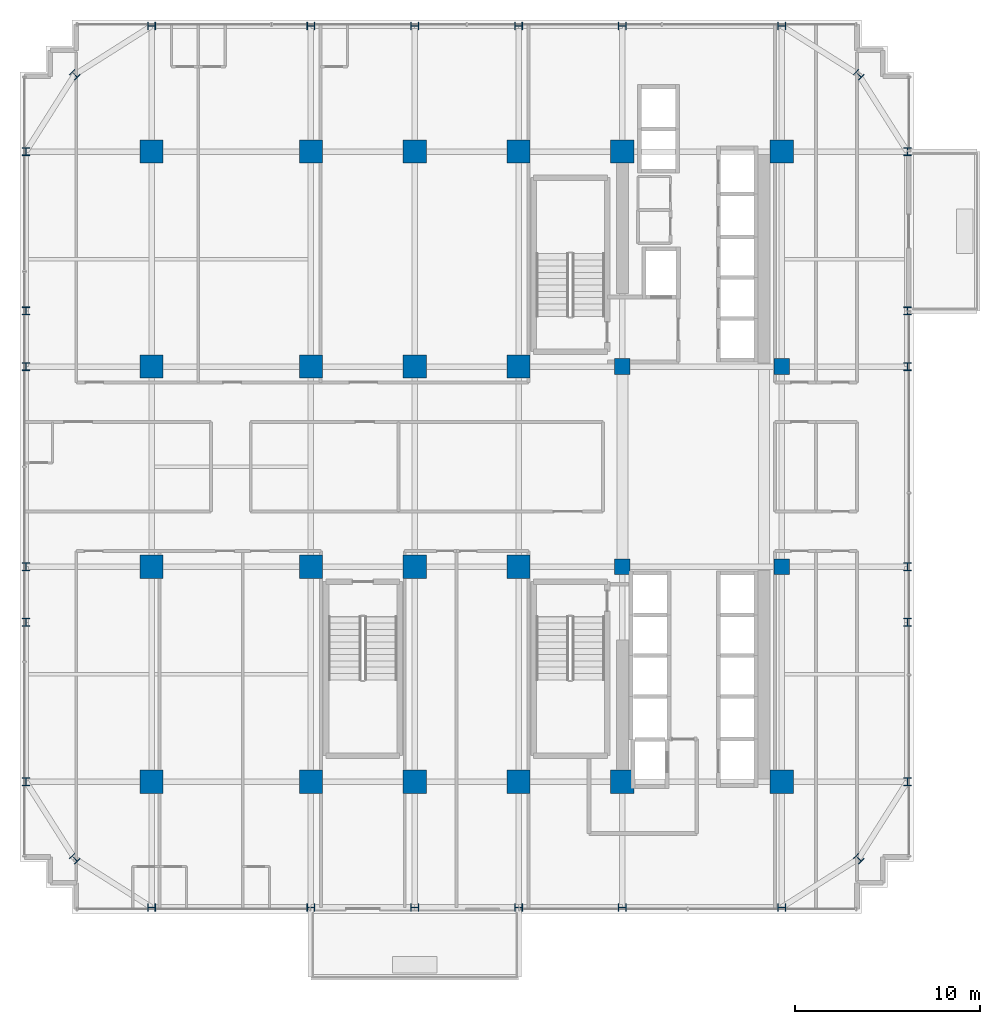
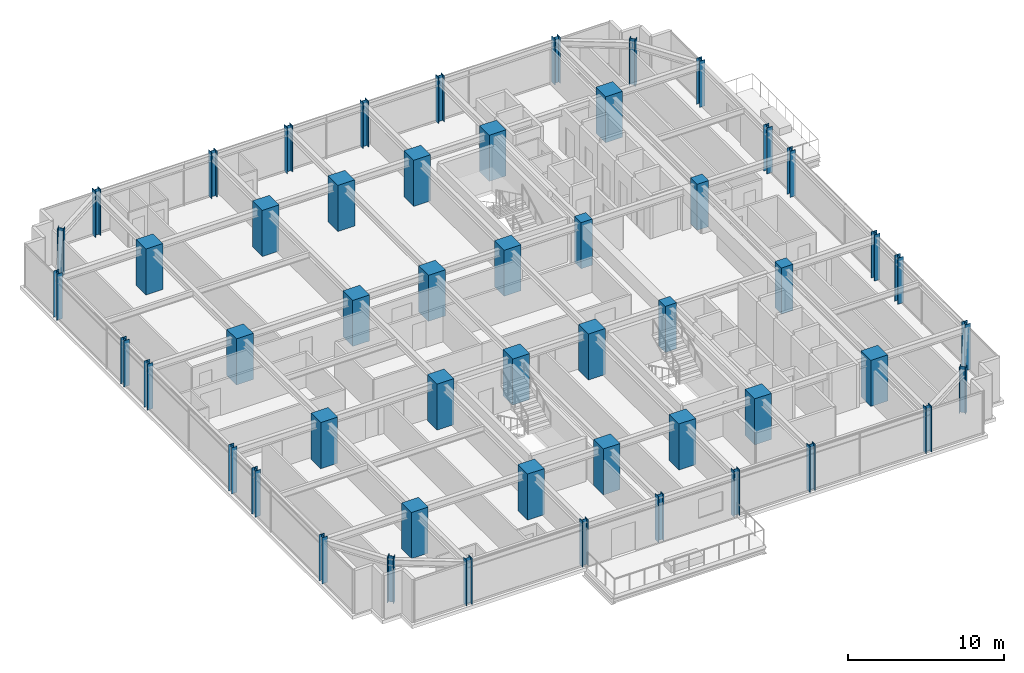
# One storey, part 1 of 33: 52 columns.
"""IFC4 building model written with IfcOpenShell, lengths in metres."""

import ifcopenshell
import ifcopenshell.guid

model = None  # the IFC model being written
_history = None  # IfcOwnerHistory: only IFC2X3 demands one
_inside = {}  # id of a spatial element -> (the spatial element, [elements in it])
_under = {}  # id of a project, library or spatial element -> (it, [spatial elements below it])
_declared = {}  # id of a project -> (the project, [libraries it declares])
_typed = {}  # id of a type object -> (the type object, [elements of that type])
_made_of = {}  # id of a material, layer set ... -> (it, [elements and type objects made of it])


def new_model(schema):
    """Start an empty IFC model of exactly this schema.

    Asked for "IFC4X3", IfcOpenShell would pick the latest addendum, in which some entities
    have other attributes; the version numbers below select the first issue.
    IFC2X3 requires an IfcOwnerHistory on every rooted entity: one is made here for all.
    """
    global model, _history
    if schema == "IFC4X3":
        model = ifcopenshell.file(schema_version=(4, 3, 0, 0))
    else:
        model = ifcopenshell.file(schema=schema)
    _inside.clear()
    _under.clear()
    _declared.clear()
    _typed.clear()
    _made_of.clear()
    _history = None
    if model.schema == "IFC2X3":
        org = make("IfcOrganization", Name="unknown")
        user = make(
            "IfcPersonAndOrganization",
            ThePerson=make("IfcPerson", FamilyName="unknown"),
            TheOrganization=org,
        )
        app = make(
            "IfcApplication",
            ApplicationDeveloper=org,
            Version="unknown",
            ApplicationFullName="unknown",
            ApplicationIdentifier="unknown",
        )
        _history = make(
            "IfcOwnerHistory",
            OwningUser=user,
            OwningApplication=app,
            ChangeAction="ADDED",
            CreationDate=0,
        )
    return model


def make(cls, **values):
    """One entity of the class cls with the attributes given. An attribute that is None is left unset."""
    return model.create_entity(
        cls, **{name: value for name, value in values.items() if value is not None}
    )


def rooted(cls, **values):
    """An entity with a GlobalId (a new one), such as an element, a storey or a relation."""
    return make(cls, GlobalId=ifcopenshell.guid.new(), OwnerHistory=_history, **values)


def si_unit(unit_type, name, prefix=None):
    """IfcSIUnit, for example si_unit("LENGTHUNIT", "METRE", prefix="MILLI")."""
    return make("IfcSIUnit", UnitType=unit_type, Prefix=prefix, Name=name)


def assignment(units):
    """IfcUnitAssignment: the units of a project."""
    return None if units is None else make("IfcUnitAssignment", Units=units)


def point(xyz):
    """IfcCartesianPoint."""
    return None if xyz is None else make("IfcCartesianPoint", Coordinates=xyz)


def direction(xyz):
    """IfcDirection."""
    return None if xyz is None else make("IfcDirection", DirectionRatios=xyz)


def frame(location, z_axis=None, x_axis=None):
    """IfcAxis2Placement3D, a coordinate frame: its origin and axes. An axis left out is left unset."""
    return make(
        "IfcAxis2Placement3D",
        Location=point(location),
        Axis=direction(z_axis),
        RefDirection=direction(x_axis),
    )


def frame_2d(location, x_axis=None):
    """IfcAxis2Placement2D, a coordinate frame in the plane: its origin and x axis."""
    return make(
        "IfcAxis2Placement2D", Location=point(location), RefDirection=direction(x_axis)
    )


def origin():
    """The frame at (0, 0, 0) with its axes left unset."""
    return frame((0.0, 0.0, 0.0))


def origin_2d():
    """The frame at (0, 0) in the plane with its x axis left unset."""
    return frame_2d((0.0, 0.0))


def place(relative_to, where):
    """IfcLocalPlacement: puts the frame where relative to a parent placement (None: the world)."""
    return make(
        "IfcLocalPlacement", PlacementRelTo=relative_to, RelativePlacement=where
    )


def context(
    kind, dimensions, precision=None, world=None, true_north=None, identifier=None
):
    """IfcGeometricRepresentationContext, for example the 3D "Model" context."""
    return make(
        "IfcGeometricRepresentationContext",
        ContextIdentifier=identifier,
        ContextType=kind,
        CoordinateSpaceDimension=dimensions,
        Precision=precision,
        WorldCoordinateSystem=world,
        TrueNorth=true_north,
    )


def subcontext(parent, identifier, kind, view, scale=None):
    """IfcGeometricRepresentationSubContext, for example "Body" below "Model"."""
    return make(
        "IfcGeometricRepresentationSubContext",
        ContextIdentifier=identifier,
        ContextType=kind,
        ParentContext=parent,
        TargetScale=scale,
        TargetView=view,
    )


def project(units=None, contexts=None):
    """IfcProject with its units and contexts."""
    return rooted(
        "IfcProject",
        Name="project",
        RepresentationContexts=contexts,
        UnitsInContext=assignment(units),
    )


def spatial(cls, under=None, at=None, **own):
    """A site, building, storey or space (cls), placed at a placement, below another one or the project."""
    s = rooted(cls, ObjectPlacement=at, **own)
    if under is not None:
        _under.setdefault(under.id(), (under, []))[1].append(s)
    return s


def profile(cls, at=None, kind="AREA", **sizes):
    """A parametric profile (cls). Its sizes go by their IFC names, for example OverallWidth=200.0."""
    return make(cls, ProfileType=kind, Position=at, **sizes)


def rectangle(**sizes):
    """IfcRectangleProfileDef."""
    return profile("IfcRectangleProfileDef", **sizes)


def i_section(**sizes):
    """IfcIShapeProfileDef."""
    return profile("IfcIShapeProfileDef", **sizes)


def extrude(swept, where, along, depth):
    """IfcExtrudedAreaSolid: the profile swept, set in the frame where, extruded along a direction by depth."""
    return make(
        "IfcExtrudedAreaSolid",
        SweptArea=swept,
        Position=where,
        ExtrudedDirection=direction(along),
        Depth=depth,
    )


def shape(context_of_items, identifier, shape_type, items):
    """IfcShapeRepresentation: the items that make up one representation, for example the "Body"."""
    return make(
        "IfcShapeRepresentation",
        ContextOfItems=context_of_items,
        RepresentationIdentifier=identifier,
        RepresentationType=shape_type,
        Items=items,
    )


def source(mapping_origin, context_of_items, identifier, shape_type, items):
    """IfcRepresentationMap: a shape defined once, which mapped items show again and again."""
    return make(
        "IfcRepresentationMap",
        MappingOrigin=mapping_origin,
        MappedRepresentation=shape(context_of_items, identifier, shape_type, items),
    )


def transform(
    local_origin,
    x_axis=None,
    y_axis=None,
    z_axis=None,
    scale=None,
    scale2=None,
    scale3=None,
    uniform=True,
):
    """IfcCartesianTransformationOperator3D, or its non-uniform kind. x_axis, y_axis, z_axis: its Axis1, 2, 3."""
    if uniform:
        return make(
            "IfcCartesianTransformationOperator3D",
            Axis1=direction(x_axis),
            Axis2=direction(y_axis),
            LocalOrigin=point(local_origin),
            Scale=scale,
            Axis3=direction(z_axis),
        )
    return make(
        "IfcCartesianTransformationOperator3DnonUniform",
        Axis1=direction(x_axis),
        Axis2=direction(y_axis),
        LocalOrigin=point(local_origin),
        Scale=scale,
        Axis3=direction(z_axis),
        Scale2=scale2,
        Scale3=scale3,
    )


def mapped(mapping_source, mapping_target):
    """IfcMappedItem: shows the shape of a source again, moved by a transform."""
    return make(
        "IfcMappedItem", MappingSource=mapping_source, MappingTarget=mapping_target
    )


def material(Name=None, Category=None):
    """IfcMaterial."""
    return make("IfcMaterial", Name=Name, Category=Category)


def material_profile(
    of_material, cross_section, Name=None, Category=None, Priority=None
):
    """IfcMaterialProfile: a cross section and its material."""
    return make(
        "IfcMaterialProfile",
        Name=Name,
        Material=of_material,
        Profile=cross_section,
        Priority=Priority,
        Category=Category,
    )


def profile_set(profiles, Name=None, composite=None):
    """IfcMaterialProfileSet."""
    return make(
        "IfcMaterialProfileSet",
        Name=Name,
        MaterialProfiles=profiles,
        CompositeProfile=composite,
    )


def made_of(thing, what):
    """Note that an element or type object is made of a material, layer set ...; save() writes the relation."""
    if what is not None:
        _made_of.setdefault(what.id(), (what, []))[1].append(thing)
    return thing


def type_object(cls, material=None, **own):
    """A type object (cls), such as IfcWallType, which elements share."""
    return made_of(rooted(cls, **own), material)


def element(
    cls,
    number,
    at=None,
    inside=None,
    cuts=None,
    type_object=None,
    material=None,
    context=None,
    identifier="Body",
    shape_type=None,
    held_by="IfcProductDefinitionShape",
    body=None,
    shapes=None,
    **own,
):
    """One element of the class cls, such as IfcWall. Its Tag is "e" and its number.

    at: its placement. inside: the storey or other place that contains it. cuts: it is an
    opening in that element (IfcRelVoidsElement). A single representation is given by context,
    identifier, shape_type and body (its items); several are given by shapes. held_by: the class
    of the entity that holds the representations. save() writes the other relations.
    """
    e = rooted(cls, Tag="e%d" % number, ObjectPlacement=at, **own)
    if body is not None:
        shapes = [shape(context, identifier, shape_type, body)]
    if shapes is not None:
        e.Representation = make(held_by, Representations=shapes)
    if inside is not None:
        _inside.setdefault(inside.id(), (inside, []))[1].append(e)
    if cuts is not None:
        rooted(
            "IfcRelVoidsElement", RelatingBuildingElement=cuts, RelatedOpeningElement=e
        )
    if type_object is not None:
        _typed.setdefault(type_object.id(), (type_object, []))[1].append(e)
    return made_of(e, material)


def aggregate(whole, parts):
    """IfcRelAggregates: a whole, such as a stair, and the parts it consists of."""
    return rooted("IfcRelAggregates", RelatingObject=whole, RelatedObjects=parts)


def save(model, path):
    """Write the relations noted so far, then the file.

    IfcRelAggregates (storeys below a building ...), IfcRelContainedInSpatialStructure (elements
    in a storey), IfcRelDefinesByType, IfcRelAssociatesMaterial and IfcRelDeclares: one each for
    every whole, place, type object, material and project.
    """
    for whole, parts in _under.values():
        aggregate(whole, parts)
    for where, things in _inside.values():
        rooted(
            "IfcRelContainedInSpatialStructure",
            RelatedElements=things,
            RelatingStructure=where,
        )
    for kind, things in _typed.values():
        rooted("IfcRelDefinesByType", RelatedObjects=things, RelatingType=kind)
    for what, things in _made_of.values():
        rooted("IfcRelAssociatesMaterial", RelatedObjects=things, RelatingMaterial=what)
    for by, libraries in _declared.values():
        rooted("IfcRelDeclares", RelatingContext=by, RelatedDefinitions=libraries)
    model.write(path)


model = new_model("IFC4")

# Units and contexts
model_context = context("Model", 3, precision=1e-05, world=origin(), true_north=direction((0.0, 1.0)))
body_context = subcontext(model_context, "Body", "Model", "MODEL_VIEW")
ifc_project = project(units=[si_unit("LENGTHUNIT", "METRE"), si_unit("AREAUNIT", "SQUARE_METRE"), si_unit("VOLUMEUNIT", "CUBIC_METRE"), si_unit("PLANEANGLEUNIT", "RADIAN"), si_unit("MASSUNIT", "GRAM", prefix="KILO")], contexts=[model_context])

# Site, building, storey
site_placement = place(None, origin())
site = spatial("IfcSite", under=ifc_project, at=site_placement, CompositionType="ELEMENT")
building_placement = place(site_placement, origin())
building = spatial("IfcBuilding", under=site, at=building_placement, Name="Nahalor Promenade Grand Hotel", CompositionType="ELEMENT")
storey_placement = place(building_placement, frame((0.0, 0.0, 117.5)))
storey = spatial("IfcBuildingStorey", under=building, at=storey_placement, Name="L29", CompositionType="ELEMENT", Elevation=117.5)

# Columns
ifc_material_1 = material(Name="Concrete B-70 (C60/75)", Category="concrete")
ifc_material_profile_1 = material_profile(ifc_material_1, rectangle(XDim=0.85, YDim=0.85, at=origin_2d()), Name="RC 850x850")
ifc_profile_set_1 = profile_set([ifc_material_profile_1], Name="Concrete B-70 (C60/75)")
column_type_1 = type_object("IfcColumnType", Name="Col-Pilaster-850", PredefinedType="PILASTER", material=ifc_profile_set_1)
shared_shape_1 = source(origin(), body_context, "Body", "SweptSolid", [
    extrude(rectangle(XDim=0.85, YDim=0.85, at=origin_2d()), origin(), (0.0, 0.0, 1.0), 3.60498046875),
])
for number, where, z_axis, x_axis, name in (
    (1, (8.39990234375, -5.39990234375, 0.0), (0.0, 0.0, 1.0), (1.0, 0.0, 0.0), "COL-L29-I41"),
    (2, (8.39990234375, 5.39990234375, 0.0), (0.0, 0.0, 1.0), (1.0, 0.0, 0.0), "COL-L29-I42"),
    (3, (17.0, -5.39990234375, 0.0), (0.0, 0.0, 1.0), (1.0, 0.0, 0.0), "COL-L29-I51"),
    (4, (17.0, 5.39990234375, 0.0), (0.0, 0.0, 1.0), (1.0, 0.0, 0.0), "COL-L29-I52"),
):
    element("IfcColumn", number, at=place(storey_placement, frame(where, z_axis=z_axis, x_axis=x_axis)), inside=storey, type_object=column_type_1, Name=name, PredefinedType="PILASTER", context=body_context, shape_type="MappedRepresentation", body=[
        mapped(shared_shape_1, transform((0.0, 0.0, 0.0), scale=1.0)),
    ])
ifc_material_2 = material(Name="Concrete B-60 (C50/60)", Category="concrete")
ifc_material_profile_2 = material_profile(ifc_material_2, rectangle(XDim=1.25, YDim=1.25, at=origin_2d()), Name="RC 1250x1250")
ifc_profile_set_2 = profile_set([ifc_material_profile_2], Name="Concrete B-60 (C50/60)")
column_type_2 = type_object("IfcColumnType", Name="Col-RC-1250", PredefinedType="COLUMN", material=ifc_profile_set_2)
shared_shape_2 = source(origin(), body_context, "Body", "SweptSolid", [
    extrude(rectangle(XDim=1.25, YDim=1.25, at=origin_2d()), origin(), (0.0, 0.0, 1.0), 3.60498046875),
])
for number, where, z_axis, x_axis, name in (
    (5, (-17.0, -17.0, 0.0), (0.0, 0.0, 1.0), (1.0, 0.0, 0.0), "COL-L29-I00"),
    (6, (-17.0, -5.39990234375, 0.0), (0.0, 0.0, 1.0), (1.0, 0.0, 0.0), "COL-L29-I01"),
    (7, (-17.0, 5.39990234375, 0.0), (0.0, 0.0, 1.0), (1.0, 0.0, 0.0), "COL-L29-I02"),
    (8, (-17.0, 17.0, 0.0), (0.0, 0.0, 1.0), (1.0, 0.0, 0.0), "COL-L29-I03"),
    (9, (-8.39990234375, -17.0, 0.0), (0.0, 0.0, 1.0), (1.0, 0.0, 0.0), "COL-L29-I10"),
    (10, (-8.39990234375, -5.39990234375, 0.0), (0.0, 0.0, 1.0), (1.0, 0.0, 0.0), "COL-L29-I11"),
    (11, (-8.39990234375, 5.39990234375, 0.0), (0.0, 0.0, 1.0), (1.0, 0.0, 0.0), "COL-L29-I12"),
    (12, (-8.39990234375, 17.0, 0.0), (0.0, 0.0, 1.0), (1.0, 0.0, 0.0), "COL-L29-I13"),
    (13, (-2.800048828125, -17.0, 0.0), (0.0, 0.0, 1.0), (1.0, 0.0, 0.0), "COL-L29-I20"),
    (14, (-2.800048828125, -5.39990234375, 0.0), (0.0, 0.0, 1.0), (1.0, 0.0, 0.0), "COL-L29-I21"),
    (15, (-2.800048828125, 5.39990234375, 0.0), (0.0, 0.0, 1.0), (1.0, 0.0, 0.0), "COL-L29-I22"),
    (16, (-2.800048828125, 17.0, 0.0), (0.0, 0.0, 1.0), (1.0, 0.0, 0.0), "COL-L29-I23"),
    (17, (2.800048828125, -17.0, 0.0), (0.0, 0.0, 1.0), (1.0, 0.0, 0.0), "COL-L29-I30"),
    (18, (2.800048828125, -5.39990234375, 0.0), (0.0, 0.0, 1.0), (1.0, 0.0, 0.0), "COL-L29-I31"),
    (19, (2.800048828125, 5.39990234375, 0.0), (0.0, 0.0, 1.0), (1.0, 0.0, 0.0), "COL-L29-I32"),
    (20, (2.800048828125, 17.0, 0.0), (0.0, 0.0, 1.0), (1.0, 0.0, 0.0), "COL-L29-I33"),
    (21, (8.39990234375, -17.0, 0.0), (0.0, 0.0, 1.0), (1.0, 0.0, 0.0), "COL-L29-I40"),
    (22, (8.39990234375, 17.0, 0.0), (0.0, 0.0, 1.0), (1.0, 0.0, 0.0), "COL-L29-I43"),
    (23, (17.0, -17.0, 0.0), (0.0, 0.0, 1.0), (1.0, 0.0, 0.0), "COL-L29-I50"),
    (24, (17.0, 17.0, 0.0), (0.0, 0.0, 1.0), (1.0, 0.0, 0.0), "COL-L29-I53"),
):
    element("IfcColumn", number, at=place(storey_placement, frame(where, z_axis=z_axis, x_axis=x_axis)), inside=storey, type_object=column_type_2, Name=name, PredefinedType="COLUMN", context=body_context, shape_type="MappedRepresentation", body=[
        mapped(shared_shape_2, transform((0.0, 0.0, 0.0), scale=1.0)),
    ])
ifc_material_3 = material(Name="Steel S355J2", Category="steel")
ifc_material_profile_3 = material_profile(ifc_material_3, i_section(OverallWidth=0.409, OverallDepth=0.43, WebThickness=0.0208, FlangeThickness=0.0335, at=origin_2d()), Name="HD 400x421")
ifc_profile_set_3 = profile_set([ifc_material_profile_3], Name="Steel S355J2")
column_type_3 = type_object("IfcColumnType", Name="Col-Steel-HD421", PredefinedType="COLUMN", material=ifc_profile_set_3)
shared_shape_3 = source(origin(), body_context, "Body", "SweptSolid", [
    extrude(i_section(OverallWidth=0.409, OverallDepth=0.43, WebThickness=0.0208, FlangeThickness=0.0335, at=origin_2d()), origin(), (0.0, 0.0, 1.0), 3.60498046875),
])
for number, where, z_axis, x_axis, name in (
    (25, (-23.780029296875, -17.0, 0.0), (0.0, 0.0, 1.0), (1.0, 0.0, 0.0), "COL-L29-PW-W0"),
    (26, (23.780029296875, -17.0, 0.0), (0.0, 0.0, 1.0), (1.0, 0.0, 0.0), "COL-L29-PW-E0"),
    (27, (-23.780029296875, -8.39990234375, 0.0), (0.0, 0.0, 1.0), (1.0, 0.0, 0.0), "COL-L29-PW-W1"),
    (28, (23.780029296875, -8.39990234375, 0.0), (0.0, 0.0, 1.0), (1.0, 0.0, 0.0), "COL-L29-PW-E1"),
    (29, (-23.780029296875, -5.39990234375, 0.0), (0.0, 0.0, 1.0), (1.0, 0.0, 0.0), "COL-L29-PW-W2"),
    (30, (23.780029296875, -5.39990234375, 0.0), (0.0, 0.0, 1.0), (1.0, 0.0, 0.0), "COL-L29-PW-E2"),
    (31, (-23.780029296875, 5.39990234375, 0.0), (0.0, 0.0, 1.0), (1.0, 0.0, 0.0), "COL-L29-PW-W3"),
    (32, (23.780029296875, 5.39990234375, 0.0), (0.0, 0.0, 1.0), (1.0, 0.0, 0.0), "COL-L29-PW-E3"),
    (33, (-23.780029296875, 8.39990234375, 0.0), (0.0, 0.0, 1.0), (1.0, 0.0, 0.0), "COL-L29-PW-W4"),
    (34, (23.780029296875, 8.39990234375, 0.0), (0.0, 0.0, 1.0), (1.0, 0.0, 0.0), "COL-L29-PW-E4"),
    (35, (-23.780029296875, 17.0, 0.0), (0.0, 0.0, 1.0), (1.0, 0.0, 0.0), "COL-L29-PW-W5"),
    (36, (23.780029296875, 17.0, 0.0), (0.0, 0.0, 1.0), (1.0, 0.0, 0.0), "COL-L29-PW-E5"),
    (37, (-17.0, -23.780029296875, 0.0), (0.0, 0.0, 1.0), (0.0, 1.0, 0.0), "COL-L29-PN-S0"),
    (38, (-17.0, 23.780029296875, 0.0), (0.0, 0.0, 1.0), (0.0, 1.0, 0.0), "COL-L29-PN-N0"),
    (39, (-8.39990234375, -23.780029296875, 0.0), (0.0, 0.0, 1.0), (0.0, 1.0, 0.0), "COL-L29-PN-S1"),
    (40, (-8.39990234375, 23.780029296875, 0.0), (0.0, 0.0, 1.0), (0.0, 1.0, 0.0), "COL-L29-PN-N1"),
    (41, (-2.800048828125, -23.780029296875, 0.0), (0.0, 0.0, 1.0), (0.0, 1.0, 0.0), "COL-L29-PN-S2"),
    (42, (-2.800048828125, 23.780029296875, 0.0), (0.0, 0.0, 1.0), (0.0, 1.0, 0.0), "COL-L29-PN-N2"),
    (43, (2.800048828125, -23.780029296875, 0.0), (0.0, 0.0, 1.0), (0.0, 1.0, 0.0), "COL-L29-PN-S3"),
    (44, (2.800048828125, 23.780029296875, 0.0), (0.0, 0.0, 1.0), (0.0, 1.0, 0.0), "COL-L29-PN-N3"),
    (45, (8.39990234375, -23.780029296875, 0.0), (0.0, 0.0, 1.0), (0.0, 1.0, 0.0), "COL-L29-PN-S4"),
    (46, (8.39990234375, 23.780029296875, 0.0), (0.0, 0.0, 1.0), (0.0, 1.0, 0.0), "COL-L29-PN-N4"),
    (47, (17.0, -23.780029296875, 0.0), (0.0, 0.0, 1.0), (0.0, 1.0, 0.0), "COL-L29-PN-S5"),
    (48, (17.0, 23.780029296875, 0.0), (0.0, 0.0, 1.0), (0.0, 1.0, 0.0), "COL-L29-PN-N5"),
    (49, (-21.14990234375, -21.14990234375, 0.0), (0.0, 0.0, 1.0), (0.707106781187, 0.707106781187, 0.0), "COL-L29-CRN-SW"),
    (50, (-21.14990234375, 21.14990234375, 0.0), (0.0, 0.0, 1.0), (0.707106781187, 0.707106781187, 0.0), "COL-L29-CRN-NW"),
    (51, (21.14990234375, -21.14990234375, 0.0), (0.0, 0.0, 1.0), (0.707106781187, 0.707106781187, 0.0), "COL-L29-CRN-SE"),
    (52, (21.14990234375, 21.14990234375, 0.0), (0.0, 0.0, 1.0), (0.707106781187, 0.707106781187, 0.0), "COL-L29-CRN-NE"),
):
    element("IfcColumn", number, at=place(storey_placement, frame(where, z_axis=z_axis, x_axis=x_axis)), inside=storey, type_object=column_type_3, Name=name, PredefinedType="COLUMN", context=body_context, shape_type="MappedRepresentation", body=[
        mapped(shared_shape_3, transform((0.0, 0.0, 0.0), scale=1.0)),
    ])

save(model, "model.ifc")
